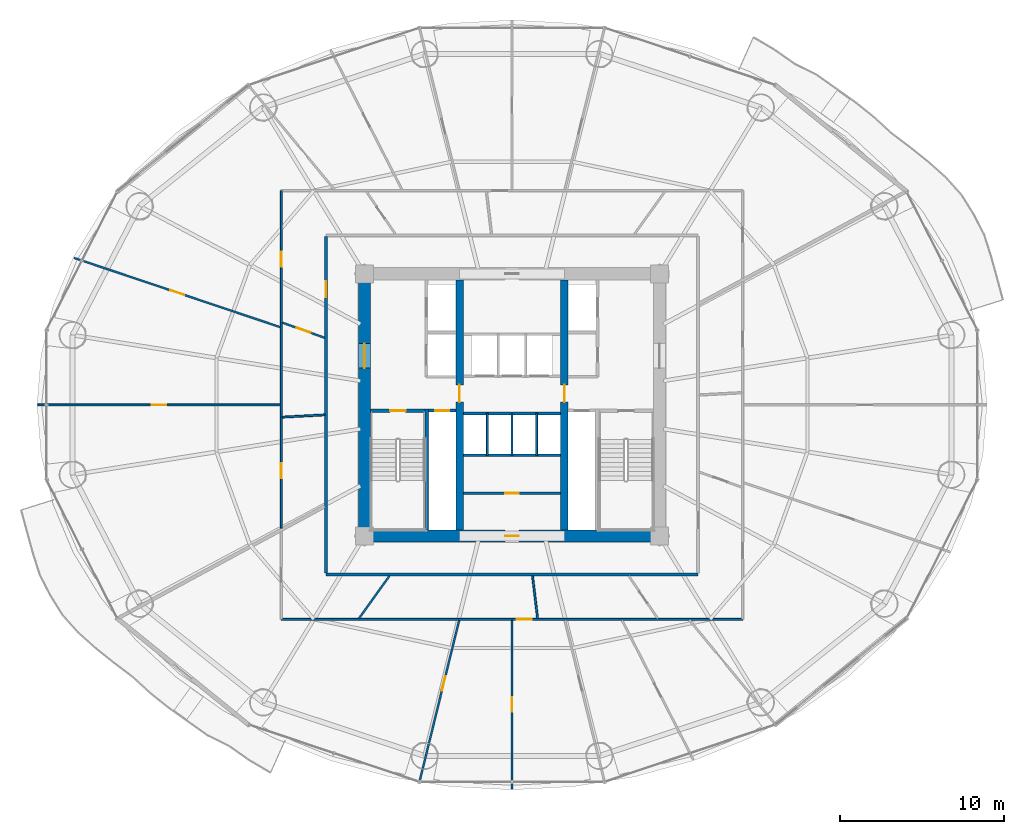
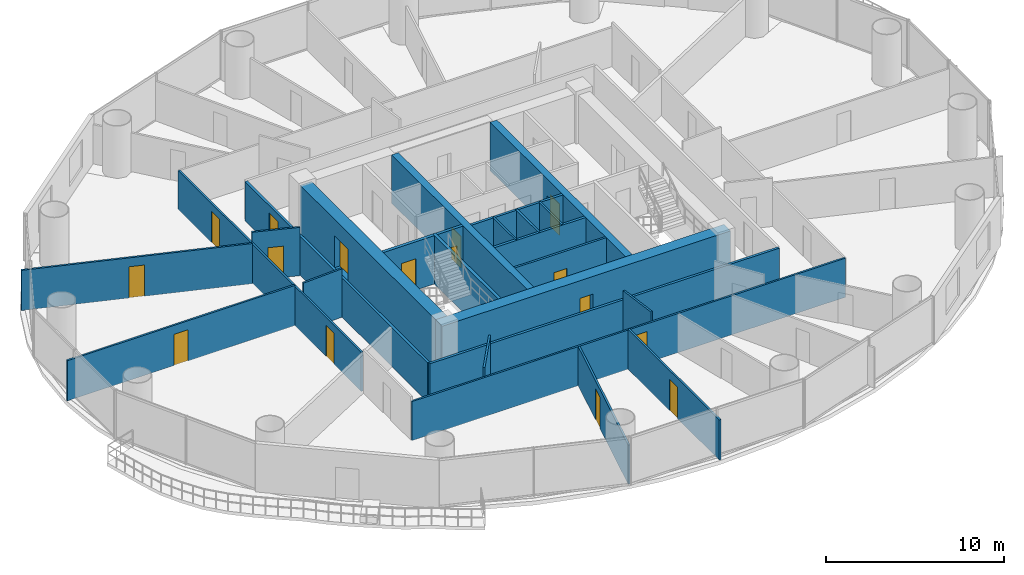
# One storey, part 23 of 30: 25 walls, 16 doors, 16 openings.
"""IFC4 building model written with IfcOpenShell, lengths in metres."""

import ifcopenshell
import ifcopenshell.guid

model = None  # the IFC model being written
_history = None  # IfcOwnerHistory: only IFC2X3 demands one
_inside = {}  # id of a spatial element -> (the spatial element, [elements in it])
_under = {}  # id of a project, library or spatial element -> (it, [spatial elements below it])
_declared = {}  # id of a project -> (the project, [libraries it declares])
_typed = {}  # id of a type object -> (the type object, [elements of that type])
_made_of = {}  # id of a material, layer set ... -> (it, [elements and type objects made of it])


def new_model(schema):
    """Start an empty IFC model of exactly this schema.

    Asked for "IFC4X3", IfcOpenShell would pick the latest addendum, in which some entities
    have other attributes; the version numbers below select the first issue.
    IFC2X3 requires an IfcOwnerHistory on every rooted entity: one is made here for all.
    """
    global model, _history
    if schema == "IFC4X3":
        model = ifcopenshell.file(schema_version=(4, 3, 0, 0))
    else:
        model = ifcopenshell.file(schema=schema)
    _inside.clear()
    _under.clear()
    _declared.clear()
    _typed.clear()
    _made_of.clear()
    _history = None
    if model.schema == "IFC2X3":
        org = make("IfcOrganization", Name="unknown")
        user = make(
            "IfcPersonAndOrganization",
            ThePerson=make("IfcPerson", FamilyName="unknown"),
            TheOrganization=org,
        )
        app = make(
            "IfcApplication",
            ApplicationDeveloper=org,
            Version="unknown",
            ApplicationFullName="unknown",
            ApplicationIdentifier="unknown",
        )
        _history = make(
            "IfcOwnerHistory",
            OwningUser=user,
            OwningApplication=app,
            ChangeAction="ADDED",
            CreationDate=0,
        )
    return model


def make(cls, **values):
    """One entity of the class cls with the attributes given. An attribute that is None is left unset."""
    return model.create_entity(
        cls, **{name: value for name, value in values.items() if value is not None}
    )


def rooted(cls, **values):
    """An entity with a GlobalId (a new one), such as an element, a storey or a relation."""
    return make(cls, GlobalId=ifcopenshell.guid.new(), OwnerHistory=_history, **values)


def si_unit(unit_type, name, prefix=None):
    """IfcSIUnit, for example si_unit("LENGTHUNIT", "METRE", prefix="MILLI")."""
    return make("IfcSIUnit", UnitType=unit_type, Prefix=prefix, Name=name)


def assignment(units):
    """IfcUnitAssignment: the units of a project."""
    return None if units is None else make("IfcUnitAssignment", Units=units)


def point(xyz):
    """IfcCartesianPoint."""
    return None if xyz is None else make("IfcCartesianPoint", Coordinates=xyz)


def direction(xyz):
    """IfcDirection."""
    return None if xyz is None else make("IfcDirection", DirectionRatios=xyz)


def frame(location, z_axis=None, x_axis=None):
    """IfcAxis2Placement3D, a coordinate frame: its origin and axes. An axis left out is left unset."""
    return make(
        "IfcAxis2Placement3D",
        Location=point(location),
        Axis=direction(z_axis),
        RefDirection=direction(x_axis),
    )


def frame_2d(location, x_axis=None):
    """IfcAxis2Placement2D, a coordinate frame in the plane: its origin and x axis."""
    return make(
        "IfcAxis2Placement2D", Location=point(location), RefDirection=direction(x_axis)
    )


def origin():
    """The frame at (0, 0, 0) with its axes left unset."""
    return frame((0.0, 0.0, 0.0))


def place(relative_to, where):
    """IfcLocalPlacement: puts the frame where relative to a parent placement (None: the world)."""
    return make(
        "IfcLocalPlacement", PlacementRelTo=relative_to, RelativePlacement=where
    )


def context(
    kind, dimensions, precision=None, world=None, true_north=None, identifier=None
):
    """IfcGeometricRepresentationContext, for example the 3D "Model" context."""
    return make(
        "IfcGeometricRepresentationContext",
        ContextIdentifier=identifier,
        ContextType=kind,
        CoordinateSpaceDimension=dimensions,
        Precision=precision,
        WorldCoordinateSystem=world,
        TrueNorth=true_north,
    )


def subcontext(parent, identifier, kind, view, scale=None):
    """IfcGeometricRepresentationSubContext, for example "Body" below "Model"."""
    return make(
        "IfcGeometricRepresentationSubContext",
        ContextIdentifier=identifier,
        ContextType=kind,
        ParentContext=parent,
        TargetScale=scale,
        TargetView=view,
    )


def project(units=None, contexts=None):
    """IfcProject with its units and contexts."""
    return rooted(
        "IfcProject",
        Name="project",
        RepresentationContexts=contexts,
        UnitsInContext=assignment(units),
    )


def spatial(cls, under=None, at=None, **own):
    """A site, building, storey or space (cls), placed at a placement, below another one or the project."""
    s = rooted(cls, ObjectPlacement=at, **own)
    if under is not None:
        _under.setdefault(under.id(), (under, []))[1].append(s)
    return s


def profile(cls, at=None, kind="AREA", **sizes):
    """A parametric profile (cls). Its sizes go by their IFC names, for example OverallWidth=200.0."""
    return make(cls, ProfileType=kind, Position=at, **sizes)


def rectangle(**sizes):
    """IfcRectangleProfileDef."""
    return profile("IfcRectangleProfileDef", **sizes)


def extrude(swept, where, along, depth):
    """IfcExtrudedAreaSolid: the profile swept, set in the frame where, extruded along a direction by depth."""
    return make(
        "IfcExtrudedAreaSolid",
        SweptArea=swept,
        Position=where,
        ExtrudedDirection=direction(along),
        Depth=depth,
    )


def shape(context_of_items, identifier, shape_type, items):
    """IfcShapeRepresentation: the items that make up one representation, for example the "Body"."""
    return make(
        "IfcShapeRepresentation",
        ContextOfItems=context_of_items,
        RepresentationIdentifier=identifier,
        RepresentationType=shape_type,
        Items=items,
    )


def source(mapping_origin, context_of_items, identifier, shape_type, items):
    """IfcRepresentationMap: a shape defined once, which mapped items show again and again."""
    return make(
        "IfcRepresentationMap",
        MappingOrigin=mapping_origin,
        MappedRepresentation=shape(context_of_items, identifier, shape_type, items),
    )


def transform(
    local_origin,
    x_axis=None,
    y_axis=None,
    z_axis=None,
    scale=None,
    scale2=None,
    scale3=None,
    uniform=True,
):
    """IfcCartesianTransformationOperator3D, or its non-uniform kind. x_axis, y_axis, z_axis: its Axis1, 2, 3."""
    if uniform:
        return make(
            "IfcCartesianTransformationOperator3D",
            Axis1=direction(x_axis),
            Axis2=direction(y_axis),
            LocalOrigin=point(local_origin),
            Scale=scale,
            Axis3=direction(z_axis),
        )
    return make(
        "IfcCartesianTransformationOperator3DnonUniform",
        Axis1=direction(x_axis),
        Axis2=direction(y_axis),
        LocalOrigin=point(local_origin),
        Scale=scale,
        Axis3=direction(z_axis),
        Scale2=scale2,
        Scale3=scale3,
    )


def mapped(mapping_source, mapping_target):
    """IfcMappedItem: shows the shape of a source again, moved by a transform."""
    return make(
        "IfcMappedItem", MappingSource=mapping_source, MappingTarget=mapping_target
    )


def material(Name=None, Category=None):
    """IfcMaterial."""
    return make("IfcMaterial", Name=Name, Category=Category)


def layer(
    of_material, thickness, ventilated=None, Name=None, Category=None, Priority=None
):
    """IfcMaterialLayer: one layer of a wall or slab, of a material (None: an air gap)."""
    return make(
        "IfcMaterialLayer",
        Material=of_material,
        LayerThickness=thickness,
        IsVentilated=ventilated,
        Name=Name,
        Category=Category,
        Priority=Priority,
    )


def layer_set(layers, Name=None):
    """IfcMaterialLayerSet."""
    return make("IfcMaterialLayerSet", MaterialLayers=layers, LayerSetName=Name)


def made_of(thing, what):
    """Note that an element or type object is made of a material, layer set ...; save() writes the relation."""
    if what is not None:
        _made_of.setdefault(what.id(), (what, []))[1].append(thing)
    return thing


def type_object(cls, material=None, **own):
    """A type object (cls), such as IfcWallType, which elements share."""
    return made_of(rooted(cls, **own), material)


def element(
    cls,
    number,
    at=None,
    inside=None,
    cuts=None,
    type_object=None,
    material=None,
    context=None,
    identifier="Body",
    shape_type=None,
    held_by="IfcProductDefinitionShape",
    body=None,
    shapes=None,
    **own,
):
    """One element of the class cls, such as IfcWall. Its Tag is "e" and its number.

    at: its placement. inside: the storey or other place that contains it. cuts: it is an
    opening in that element (IfcRelVoidsElement). A single representation is given by context,
    identifier, shape_type and body (its items); several are given by shapes. held_by: the class
    of the entity that holds the representations. save() writes the other relations.
    """
    e = rooted(cls, Tag="e%d" % number, ObjectPlacement=at, **own)
    if body is not None:
        shapes = [shape(context, identifier, shape_type, body)]
    if shapes is not None:
        e.Representation = make(held_by, Representations=shapes)
    if inside is not None:
        _inside.setdefault(inside.id(), (inside, []))[1].append(e)
    if cuts is not None:
        rooted(
            "IfcRelVoidsElement", RelatingBuildingElement=cuts, RelatedOpeningElement=e
        )
    if type_object is not None:
        _typed.setdefault(type_object.id(), (type_object, []))[1].append(e)
    return made_of(e, material)


def fill(opening, filler):
    """IfcRelFillsElement: the door or window that sits in an opening."""
    return rooted(
        "IfcRelFillsElement",
        RelatingOpeningElement=opening,
        RelatedBuildingElement=filler,
    )


def aggregate(whole, parts):
    """IfcRelAggregates: a whole, such as a stair, and the parts it consists of."""
    return rooted("IfcRelAggregates", RelatingObject=whole, RelatedObjects=parts)


def save(model, path):
    """Write the relations noted so far, then the file.

    IfcRelAggregates (storeys below a building ...), IfcRelContainedInSpatialStructure (elements
    in a storey), IfcRelDefinesByType, IfcRelAssociatesMaterial and IfcRelDeclares: one each for
    every whole, place, type object, material and project.
    """
    for whole, parts in _under.values():
        aggregate(whole, parts)
    for where, things in _inside.values():
        rooted(
            "IfcRelContainedInSpatialStructure",
            RelatedElements=things,
            RelatingStructure=where,
        )
    for kind, things in _typed.values():
        rooted("IfcRelDefinesByType", RelatedObjects=things, RelatingType=kind)
    for what, things in _made_of.values():
        rooted("IfcRelAssociatesMaterial", RelatedObjects=things, RelatingMaterial=what)
    for by, libraries in _declared.values():
        rooted("IfcRelDeclares", RelatingContext=by, RelatedDefinitions=libraries)
    model.write(path)


model = new_model("IFC4")

# Units and contexts
model_context = context("Model", 3, precision=1e-05, world=origin(), true_north=direction((-0.2419218956, 0.970295726276)))
body_context = subcontext(model_context, "Body", "Model", "MODEL_VIEW")
ifc_project = project(units=[si_unit("LENGTHUNIT", "METRE"), si_unit("AREAUNIT", "SQUARE_METRE"), si_unit("VOLUMEUNIT", "CUBIC_METRE"), si_unit("PLANEANGLEUNIT", "RADIAN"), si_unit("MASSUNIT", "GRAM", prefix="KILO")], contexts=[model_context])

# Site, building, storey
site_placement = place(None, origin())
site = spatial("IfcSite", under=ifc_project, at=site_placement, CompositionType="ELEMENT")
building_placement = place(site_placement, origin())
building = spatial("IfcBuilding", under=site, at=building_placement, Name="Cobrevalo Terracotta Tower", CompositionType="ELEMENT")
storey_placement = place(building_placement, frame((0.0, 0.0, 60.0)))
storey = spatial("IfcBuildingStorey", under=building, at=storey_placement, Name="L15", CompositionType="ELEMENT", Elevation=60.0)

# Wall, opening, door
ifc_material_1 = material(Name="Concrete C60", Category="concrete")
ifc_layer_1 = layer(ifc_material_1, 0.75)
ifc_layer_set_1 = layer_set([ifc_layer_1], Name="Concrete C60")
wall_type_1 = type_object("IfcWallType", Name="Core shear wall 750 mm Concrete C60", PredefinedType="SHEAR", material=ifc_layer_set_1)
wall_1_placement = place(storey_placement, frame((28.625, 18.800048828125, 0.0), z_axis=(0.0, 0.0, 1.0), x_axis=(1.0, 0.0, 0.0)))
wall_1 = element("IfcWall", 1, at=wall_1_placement, inside=storey, type_object=wall_type_1, Name="L15 south core shear wall", PredefinedType="SHEAR", context=body_context, shape_type="SweptSolid", body=[
    extrude(rectangle(XDim=18.75, YDim=0.75, at=frame_2d((9.375, 0.0))), origin(), (0.0, 0.0, 1.0), 3.320068359375),
])
opening_1_placement = place(wall_1_placement, frame((8.949951171875, 0.0, 0.0)))
opening_1 = element("IfcOpeningElement", 2, at=opening_1_placement, cuts=wall_1, Name="Opening ID-22", PredefinedType="OPENING", context=body_context, shape_type="SweptSolid", body=[
    extrude(rectangle(XDim=0.85009765625, YDim=2.10009765625, at=frame_2d((0.425048828125, 1.050048828125))), frame((0.0, 0.385009765625, 0.0), z_axis=(0.0, -1.0, 0.0), x_axis=(1.0, 0.0, 0.0)), (0.0, 0.0, 1.0), 0.77001953125),
])
ifc_material_2 = material(Name="Powder-coated steel", Category="steel")
door_type_1 = type_object("IfcDoorType", Name="Riser shaft & meter closet fire access door 850x2100 EI 60", OperationType="NOTDEFINED", PredefinedType="DOOR", material=ifc_material_2)
shared_shape_1 = source(origin(), body_context, "Body", "SweptSolid", [
    extrude(rectangle(XDim=0.85009765625, YDim=2.10009765625, at=frame_2d((0.425048828125, 1.050048828125))), frame((0.0, 0.02490234375, 0.0), z_axis=(0.0, -1.0, 0.0), x_axis=(1.0, 0.0, 0.0)), (0.0, 0.0, 1.0), 0.050048828125),
])
door_1_placement = place(opening_1_placement, origin())
door_1 = element("IfcDoor", 3, at=door_1_placement, inside=storey, type_object=door_type_1, Name="L15 core south plant door Smoke Extract Fan Plant", OperationType="SINGLE_SWING_RIGHT", OverallHeight=2.10009765625, OverallWidth=0.85009765625, PredefinedType="DOOR", context=body_context, shape_type="MappedRepresentation", body=[
    mapped(shared_shape_1, transform((0.0, 0.0, 0.0), scale=1.0)),
])
fill(opening_1, door_1)

wall_2_placement = place(storey_placement, frame((29.0, 19.175048828125, 0.0), z_axis=(0.0, 0.0, 1.0), x_axis=(0.0, 1.0, 0.0)))
wall_2 = element("IfcWall", 4, at=wall_2_placement, inside=storey, type_object=wall_type_1, Name="L15 west core shear wall", PredefinedType="SHEAR", context=body_context, shape_type="SweptSolid", body=[
    extrude(rectangle(XDim=15.25, YDim=0.75, at=frame_2d((7.625, 0.0))), origin(), (0.0, 0.0, 1.0), 3.320068359375),
])
opening_2_placement = place(wall_2_placement, frame((9.875, 0.0, 0.0)))
opening_2 = element("IfcOpeningElement", 5, at=opening_2_placement, cuts=wall_2, Name="Opening ID-14", PredefinedType="OPENING", context=body_context, shape_type="SweptSolid", body=[
    extrude(rectangle(XDim=1.5, YDim=2.199951171875, at=frame_2d((0.75, 1.10009765625))), frame((0.0, 0.385009765625, 0.0), z_axis=(0.0, -1.0, 0.0), x_axis=(1.0, 0.0, 0.0)), (0.0, 0.0, 1.0), 0.77001953125),
])
ifc_material_3 = material(Name="Galvanized fire-rated steel", Category="steel")
door_type_2 = type_object("IfcDoorType", Name="Core cross-lobby double fire door 1500x2200 EI 90", OperationType="NOTDEFINED", PredefinedType="DOOR", material=ifc_material_3)
shared_shape_2 = source(origin(), body_context, "Body", "SweptSolid", [
    extrude(rectangle(XDim=1.5, YDim=2.199951171875, at=frame_2d((0.75, 1.10009765625))), frame((0.0, 0.02490234375, 0.0), z_axis=(0.0, -1.0, 0.0), x_axis=(1.0, 0.0, 0.0)), (0.0, 0.0, 1.0), 0.050048828125),
])
door_2_placement = place(opening_2_placement, origin())
door_2 = element("IfcDoor", 6, at=door_2_placement, inside=storey, type_object=door_type_2, Name="L15 west firefighting lobby entrance door", OperationType="DOUBLE_DOOR_SINGLE_SWING", OverallHeight=2.199951171875, OverallWidth=1.5, PredefinedType="DOOR", context=body_context, shape_type="MappedRepresentation", body=[
    mapped(shared_shape_2, transform((0.0, 0.0, 0.0), scale=1.0)),
])
fill(opening_2, door_2)

# Walls
ifc_material_4 = material(Name="Gypsum board on steel stud", Category="steel")
ifc_layer_2 = layer(ifc_material_4, 0.159912109375)
ifc_layer_set_2 = layer_set([ifc_layer_2], Name="Gypsum board on steel stud")
wall_type_2 = type_object("IfcWallType", Name="Fire-rated corridor acoustic partition wall 160 mm", PredefinedType="PARTITIONING", material=ifc_layer_set_2)
for number, where, z_axis, x_axis, name in (
    (7, (35.02490234375, 26.280029296875, 0.0), (0.0, 0.0, 1.0), (1.0, 0.0, 0.0), "L15 interior partition IW-L15-MB-N"),
    (8, (35.02490234375, 23.719970703125, 0.0), (0.0, 0.0, 1.0), (1.0, 0.0, 0.0), "L15 interior partition IW-L15-MB-S"),
):
    element("IfcWall", number, at=place(storey_placement, frame(where, z_axis=z_axis, x_axis=x_axis)), inside=storey, type_object=wall_type_2, Name=name, PredefinedType="PARTITIONING", context=body_context, shape_type="SweptSolid", body=[
        extrude(rectangle(XDim=5.9501953125, YDim=0.159912109375, at=frame_2d((2.97509765625, 0.0))), origin(), (0.0, 0.0, 1.0), 3.320068359375),
    ])
wall_3_placement = place(storey_placement, frame((26.64501953125, 16.445068359375, 0.0), z_axis=(0.0, 0.0, 1.0), x_axis=(1.0, 0.0, 0.0)))
element("IfcWall", 9, at=wall_3_placement, inside=storey, type_object=wall_type_2, Name="L15 interior partition IW-L15-COR-S", PredefinedType="PARTITIONING", context=body_context, shape_type="SweptSolid", body=[
    extrude(rectangle(XDim=22.7099609375, YDim=0.159912109375, at=frame_2d((11.35498046875, 0.0))), origin(), (0.0, 0.0, 1.0), 2.68798828125),
])

# Wall, opening, door
wall_4_placement = place(storey_placement, frame((26.64501953125, 16.52490234375, 0.0), z_axis=(0.0, 0.0, 1.0), x_axis=(0.0, 1.0, 0.0)))
wall_4 = element("IfcWall", 10, at=wall_4_placement, inside=storey, type_object=wall_type_2, Name="L15 interior partition IW-L15-COR-W", PredefinedType="PARTITIONING", context=body_context, shape_type="SweptSolid", body=[
    extrude(rectangle(XDim=20.550048828125, YDim=0.159912109375, at=frame_2d((10.27490234375, 0.0))), origin(), (0.0, 0.0, 1.0), 2.68798828125),
])
opening_3_placement = place(wall_4_placement, frame((16.8369140625, 0.0, 0.0)))
opening_3 = element("IfcOpeningElement", 11, at=opening_3_placement, cuts=wall_4, Name="Opening ID-05", PredefinedType="OPENING", context=body_context, shape_type="SweptSolid", body=[
    extrude(rectangle(XDim=0.97998046875, YDim=2.199951171875, at=frame_2d((0.489990234375, 1.10009765625))), frame((0.0, 0.08984375, 0.0), z_axis=(0.0, -1.0, 0.0), x_axis=(1.0, 0.0, 0.0)), (0.0, 0.0, 1.0), 0.179931640625),
])
ifc_material_5 = material(Name="Solid hardwood timber", Category="wood")
door_type_3 = type_object("IfcDoorType", Name="Residence entrance fire-rated acoustic timber door 980x2200 EI 60", OperationType="NOTDEFINED", PredefinedType="DOOR", material=ifc_material_5)
shared_shape_3 = source(origin(), body_context, "Body", "SweptSolid", [
    extrude(rectangle(XDim=0.97998046875, YDim=2.199951171875, at=frame_2d((0.489990234375, 1.10009765625))), frame((0.0, 0.02490234375, 0.0), z_axis=(0.0, -1.0, 0.0), x_axis=(1.0, 0.0, 0.0)), (0.0, 0.0, 1.0), 0.050048828125),
])
door_3_placement = place(opening_3_placement, origin())
door_3 = element("IfcDoor", 12, at=door_3_placement, inside=storey, type_object=door_type_3, Name="Flat L15A fire-rated apartment entrance door", OperationType="SINGLE_SWING_LEFT", OverallHeight=2.199951171875, OverallWidth=0.97998046875, PredefinedType="DOOR", context=body_context, shape_type="MappedRepresentation", body=[
    mapped(shared_shape_3, transform((0.0, 0.0, 0.0), scale=1.0)),
])
fill(opening_3, door_3)

ifc_layer_3 = layer(ifc_material_4, 0.179931640625)
ifc_layer_set_3 = layer_set([ifc_layer_3], Name="Gypsum board on steel stud")
wall_type_3 = type_object("IfcWallType", Name="Fire-rated shaft & lobby acoustic partition wall 180 mm", PredefinedType="PARTITIONING", material=ifc_layer_set_3)
wall_5_placement = place(storey_placement, frame((32.89990234375, 26.449951171875, 0.0), z_axis=(0.0, 0.0, 1.0), x_axis=(1.0, 0.0, 0.0)))
wall_5 = element("IfcWall", 13, at=wall_5_placement, inside=storey, type_object=wall_type_3, Name="L15 interior partition IW-L15-RSW-N", PredefinedType="PARTITIONING", context=body_context, shape_type="SweptSolid", body=[
    extrude(rectangle(XDim=1.675048828125, YDim=0.179931640625, at=frame_2d((0.83740234375, 0.0))), origin(), (0.0, 0.0, 1.0), 3.320068359375),
])
opening_4_placement = place(wall_5_placement, frame((0.41259765625, 0.0, 0.0)))
opening_4 = element("IfcOpeningElement", 14, at=opening_4_placement, cuts=wall_5, Name="Opening ID-22", PredefinedType="OPENING", context=body_context, shape_type="SweptSolid", body=[
    extrude(rectangle(XDim=0.85009765625, YDim=2.10009765625, at=frame_2d((0.425048828125, 1.050048828125))), frame((0.0, 0.10009765625, 0.0), z_axis=(0.0, -1.0, 0.0), x_axis=(1.0, 0.0, 0.0)), (0.0, 0.0, 1.0), 0.199951171875),
])
door_4_placement = place(opening_4_placement, origin())
door_4 = element("IfcDoor", 15, at=door_4_placement, inside=storey, type_object=door_type_1, Name="L15 riser access door RSW", OperationType="SINGLE_SWING_LEFT", OverallHeight=2.10009765625, OverallWidth=0.85009765625, PredefinedType="DOOR", context=body_context, shape_type="MappedRepresentation", body=[
    mapped(shared_shape_1, transform((0.0, 0.0, 0.0), scale=1.0)),
])
fill(opening_4, door_4)

# Walls
ifc_material_6 = material(Name="Autoclaved aerated concrete block", Category="concrete")
ifc_layer_4 = layer(ifc_material_6, 0.1201171875)
ifc_layer_set_4 = layer_set([ifc_layer_4], Name="Autoclaved aerated concrete block")
wall_type_4 = type_object("IfcWallType", Name="Fire-rated wet-room & core service partition 120 mm", PredefinedType="PARTITIONING", material=ifc_layer_set_4)
for number, where, z_axis, x_axis, name in (
    (16, (36.5, 23.719970703125, 0.0), (0.0, 0.0, 1.0), (0.0, 1.0, 0.0), "L15 interior partition IW-L15-MB-D1"),
    (17, (39.5, 23.719970703125, 0.0), (0.0, 0.0, 1.0), (0.0, 1.0, 0.0), "L15 interior partition IW-L15-MB-D3"),
):
    element("IfcWall", number, at=place(storey_placement, frame(where, z_axis=z_axis, x_axis=x_axis)), inside=storey, type_object=wall_type_4, Name=name, PredefinedType="PARTITIONING", context=body_context, shape_type="SweptSolid", body=[
        extrude(rectangle(XDim=2.56005859375, YDim=0.1201171875, at=frame_2d((1.280029296875, 0.0))), origin(), (0.0, 0.0, 1.0), 3.320068359375),
    ])

# Wall, opening, door
ifc_material_7 = material(Name="Concrete C55", Category="concrete")
ifc_layer_5 = layer(ifc_material_7, 0.449951171875)
ifc_layer_set_5 = layer_set([ifc_layer_5], Name="Concrete C55")
wall_type_5 = type_object("IfcWallType", Name="Internal core shear web wall 450 mm Concrete C55", PredefinedType="SHEAR", material=ifc_layer_set_5)
wall_6_placement = place(storey_placement, frame((34.800048828125, 19.175048828125, 0.0), z_axis=(0.0, 0.0, 1.0), x_axis=(0.0, 1.0, 0.0)))
wall_6 = element("IfcWall", 18, at=wall_6_placement, inside=storey, type_object=wall_type_5, Name="L15 internal core shear wall WEB-W", PredefinedType="SHEAR", context=body_context, shape_type="SweptSolid", body=[
    extrude(rectangle(XDim=15.25, YDim=0.449951171875, at=frame_2d((7.625, 0.0))), origin(), (0.0, 0.0, 1.0), 3.320068359375),
])
opening_5_placement = place(wall_6_placement, frame((7.800048828125, 0.0, 0.0)))
opening_5 = element("IfcOpeningElement", 19, at=opening_5_placement, cuts=wall_6, Name="Opening ID-11", PredefinedType="OPENING", context=body_context, shape_type="SweptSolid", body=[
    extrude(rectangle(XDim=1.050048828125, YDim=2.14990234375, at=frame_2d((0.52490234375, 1.074951171875))), frame((0.0, 0.23486328125, 0.0), z_axis=(0.0, -1.0, 0.0), x_axis=(1.0, 0.0, 0.0)), (0.0, 0.0, 1.0), 0.469970703125),
])
door_type_4 = type_object("IfcDoorType", Name="Core concourse cross fire door 1050x2150 EI 90", OperationType="NOTDEFINED", PredefinedType="DOOR", material=ifc_material_3)
shared_shape_4 = source(origin(), body_context, "Body", "SweptSolid", [
    extrude(rectangle(XDim=1.050048828125, YDim=2.14990234375, at=frame_2d((0.52490234375, 1.074951171875))), frame((0.0, 0.02490234375, 0.0), z_axis=(0.0, -1.0, 0.0), x_axis=(1.0, 0.0, 0.0)), (0.0, 0.0, 1.0), 0.050048828125),
])
door_5_placement = place(opening_5_placement, origin())
door_5 = element("IfcDoor", 20, at=door_5_placement, inside=storey, type_object=door_type_4, Name="L15 west core concourse cross door", OperationType="SINGLE_SWING_LEFT", OverallHeight=2.14990234375, OverallWidth=1.050048828125, PredefinedType="DOOR", context=body_context, shape_type="MappedRepresentation", body=[
    mapped(shared_shape_4, transform((0.0, 0.0, 0.0), scale=1.0)),
])
fill(opening_5, door_5)

wall_7_placement = place(storey_placement, frame((41.199951171875, 19.175048828125, 0.0), z_axis=(0.0, 0.0, 1.0), x_axis=(0.0, 1.0, 0.0)))
wall_7 = element("IfcWall", 21, at=wall_7_placement, inside=storey, type_object=wall_type_5, Name="L15 internal core shear wall WEB-E", PredefinedType="SHEAR", context=body_context, shape_type="SweptSolid", body=[
    extrude(rectangle(XDim=15.25, YDim=0.449951171875, at=frame_2d((7.625, 0.0))), origin(), (0.0, 0.0, 1.0), 3.320068359375),
])
opening_6_placement = place(wall_7_placement, frame((7.800048828125, 0.0, 0.0)))
opening_6 = element("IfcOpeningElement", 22, at=opening_6_placement, cuts=wall_7, Name="Opening ID-11", PredefinedType="OPENING", context=body_context, shape_type="SweptSolid", body=[
    extrude(rectangle(XDim=1.050048828125, YDim=2.14990234375, at=frame_2d((0.52490234375, 1.074951171875))), frame((0.0, 0.23486328125, 0.0), z_axis=(0.0, -1.0, 0.0), x_axis=(1.0, 0.0, 0.0)), (0.0, 0.0, 1.0), 0.469970703125),
])
door_6_placement = place(opening_6_placement, frame((1.050048828125, 0.0, 0.0), z_axis=(0.0, 0.0, 1.0), x_axis=(-1.0, 0.0, 0.0)))
door_6 = element("IfcDoor", 23, at=door_6_placement, inside=storey, type_object=door_type_4, Name="L15 east core concourse cross door", OperationType="SINGLE_SWING_RIGHT", OverallHeight=2.14990234375, OverallWidth=1.050048828125, PredefinedType="DOOR", context=body_context, shape_type="MappedRepresentation", body=[
    mapped(shared_shape_4, transform((0.0, 0.0, 0.0), scale=1.0)),
])
fill(opening_6, door_6)

# Wall
ifc_layer_6 = layer(ifc_material_6, 0.139892578125)
ifc_layer_set_6 = layer_set([ifc_layer_6], Name="Autoclaved aerated concrete block")
wall_type_6 = type_object("IfcWallType", Name="Moisture-resistant wet-room & core service partition 140 mm", PredefinedType="PARTITIONING", material=ifc_layer_set_6)
wall_8_placement = place(storey_placement, frame((38.0, 23.719970703125, 0.0), z_axis=(0.0, 0.0, 1.0), x_axis=(0.0, 1.0, 0.0)))
element("IfcWall", 24, at=wall_8_placement, inside=storey, type_object=wall_type_6, Name="L15 interior partition IW-L15-MB-D2", PredefinedType="PARTITIONING", context=body_context, shape_type="SweptSolid", body=[
    extrude(rectangle(XDim=2.56005859375, YDim=0.139892578125, at=frame_2d((1.280029296875, 0.0))), origin(), (0.0, 0.0, 1.0), 3.320068359375),
])

# Wall, opening, door
wall_9_placement = place(storey_placement, frame((35.02490234375, 21.407470703125, 0.0), z_axis=(0.0, 0.0, 1.0), x_axis=(1.0, 0.0, 0.0)))
wall_9 = element("IfcWall", 25, at=wall_9_placement, inside=storey, type_object=wall_type_6, Name="L15 interior partition IW-L15-KVS-H", PredefinedType="PARTITIONING", context=body_context, shape_type="SweptSolid", body=[
    extrude(rectangle(XDim=5.9501953125, YDim=0.139892578125, at=frame_2d((2.97509765625, 0.0))), origin(), (0.0, 0.0, 1.0), 3.320068359375),
])
opening_7_placement = place(wall_9_placement, frame((2.550048828125, 0.0, 0.0)))
opening_7 = element("IfcOpeningElement", 26, at=opening_7_placement, cuts=wall_9, Name="Opening ID-22", PredefinedType="OPENING", context=body_context, shape_type="SweptSolid", body=[
    extrude(rectangle(XDim=0.85009765625, YDim=2.10009765625, at=frame_2d((0.425048828125, 1.050048828125))), frame((0.0, 0.080078125, 0.0), z_axis=(0.0, -1.0, 0.0), x_axis=(1.0, 0.0, 0.0)), (0.0, 0.0, 1.0), 0.159912109375),
])
door_7_placement = place(opening_7_placement, origin())
door_7 = element("IfcDoor", 27, at=door_7_placement, inside=storey, type_object=door_type_1, Name="L15 core manifold inner door", OperationType="SINGLE_SWING_LEFT", OverallHeight=2.10009765625, OverallWidth=0.85009765625, PredefinedType="DOOR", context=body_context, shape_type="MappedRepresentation", body=[
    mapped(shared_shape_1, transform((0.0, 0.0, 0.0), scale=1.0)),
])
fill(opening_7, door_7)

# Wall, openings, doors
ifc_layer_7 = layer(ifc_material_4, 0.1201171875)
ifc_layer_set_7 = layer_set([ifc_layer_7], Name="Gypsum board on steel stud")
wall_type_7 = type_object("IfcWallType", Name="Residential internal acoustic stud partition 120 mm", PredefinedType="PARTITIONING", material=ifc_layer_set_7)
wall_10_placement = place(storey_placement, frame((23.9150390625, 19.275634765625, 0.0), z_axis=(0.0, 0.0, 1.0), x_axis=(0.0, 1.0, 0.0)))
wall_10 = element("IfcWall", 28, at=wall_10_placement, inside=storey, type_object=wall_type_7, Name="L15 interior partition IW-L15-U1-RING0_0", PredefinedType="PARTITIONING", context=body_context, shape_type="SweptSolid", body=[
    extrude(rectangle(XDim=20.609375, YDim=0.1201171875, at=frame_2d((10.3046875, 0.0))), origin(), (0.0, 0.0, 1.0), 2.68798828125),
])
opening_8_placement = place(wall_10_placement, frame((15.972412109375, 0.0, 0.0)))
opening_8 = element("IfcOpeningElement", 29, at=opening_8_placement, cuts=wall_10, Name="Opening ID-12", PredefinedType="OPENING", context=body_context, shape_type="SweptSolid", body=[
    extrude(rectangle(XDim=0.89990234375, YDim=2.14990234375, at=frame_2d((0.449951171875, 1.074951171875))), frame((0.0, 0.070068359375, 0.0), z_axis=(0.0, -1.0, 0.0), x_axis=(1.0, 0.0, 0.0)), (0.0, 0.0, 1.0), 0.14013671875),
])
opening_9_placement = place(wall_10_placement, frame((3.058349609375, 0.0, 0.0)))
opening_9 = element("IfcOpeningElement", 30, at=opening_9_placement, cuts=wall_10, Name="Opening ID-12", PredefinedType="OPENING", context=body_context, shape_type="SweptSolid", body=[
    extrude(rectangle(XDim=0.89990234375, YDim=2.14990234375, at=frame_2d((0.449951171875, 1.074951171875))), frame((0.0, 0.070068359375, 0.0), z_axis=(0.0, -1.0, 0.0), x_axis=(1.0, 0.0, 0.0)), (0.0, 0.0, 1.0), 0.14013671875),
])
ifc_material_8 = material(Name="Engineered timber", Category="wood")
door_type_5 = type_object("IfcDoorType", Name="Internal residence & suite timber door 900x2150", OperationType="NOTDEFINED", PredefinedType="DOOR", material=ifc_material_8)
shared_shape_5 = source(origin(), body_context, "Body", "SweptSolid", [
    extrude(rectangle(XDim=0.89990234375, YDim=2.14990234375, at=frame_2d((0.449951171875, 1.074951171875))), frame((0.0, 0.02490234375, 0.0), z_axis=(0.0, -1.0, 0.0), x_axis=(1.0, 0.0, 0.0)), (0.0, 0.0, 1.0), 0.050048828125),
])
door_8_placement = place(opening_8_placement, origin())
door_8 = element("IfcDoor", 31, at=door_8_placement, inside=storey, type_object=door_type_5, Name="Flat L15A Penthouse Family Lounge internal door", OperationType="SINGLE_SWING_RIGHT", OverallHeight=2.14990234375, OverallWidth=0.89990234375, PredefinedType="DOOR", context=body_context, shape_type="MappedRepresentation", body=[
    mapped(shared_shape_5, transform((0.0, 0.0, 0.0), scale=1.0)),
])
fill(opening_8, door_8)
door_9_placement = place(opening_9_placement, frame((0.89990234375, 0.0, 0.0), z_axis=(0.0, 0.0, 1.0), x_axis=(-1.0, 0.0, 0.0)))
door_9 = element("IfcDoor", 32, at=door_9_placement, inside=storey, type_object=door_type_5, Name="Flat L15A Utility Closet internal door", OperationType="SINGLE_SWING_LEFT", OverallHeight=2.14990234375, OverallWidth=0.89990234375, PredefinedType="DOOR", context=body_context, shape_type="MappedRepresentation", body=[
    mapped(shared_shape_5, transform((0.0, 0.0, 0.0), scale=1.0)),
])
fill(opening_9, door_9)

# Wall, opening, door
wall_11_placement = place(storey_placement, frame((23.856201171875, 31.54736328125, 0.0), z_axis=(0.0, 0.0, 1.0), x_axis=(-0.948017487737, 0.318218231634, 0.0)))
wall_11 = element("IfcWall", 33, at=wall_11_placement, inside=storey, type_object=wall_type_7, Name="L15 interior partition IW-L15-U1-ORAD4", PredefinedType="PARTITIONING", context=body_context, shape_type="SweptSolid", body=[
    extrude(rectangle(XDim=13.27880859375, YDim=0.1201171875, at=frame_2d((6.639404296875, 0.0))), origin(), (0.0, 0.0, 1.0), 2.761962890625),
])
opening_10_placement = place(wall_11_placement, frame((6.189453125, 0.0, 0.0)))
opening_10 = element("IfcOpeningElement", 34, at=opening_10_placement, cuts=wall_11, Name="Opening ID-12", PredefinedType="OPENING", context=body_context, shape_type="SweptSolid", body=[
    extrude(rectangle(XDim=0.89990234375, YDim=2.14990234375, at=frame_2d((0.449951171875, 1.074951171875))), frame((0.0, 0.070068359375, 0.0), z_axis=(0.0, -1.0, 0.0), x_axis=(1.0, 0.0, 0.0)), (0.0, 0.0, 1.0), 0.14013671875),
])
door_10_placement = place(opening_10_placement, origin())
door_10 = element("IfcDoor", 35, at=door_10_placement, inside=storey, type_object=door_type_5, Name="Flat L15A Penthouse Family Lounge internal door", OperationType="SINGLE_SWING_LEFT", OverallHeight=2.14990234375, OverallWidth=0.89990234375, PredefinedType="DOOR", context=body_context, shape_type="MappedRepresentation", body=[
    mapped(shared_shape_5, transform((0.0, 0.0, 0.0), scale=1.0)),
])
fill(opening_10, door_10)

wall_12_placement = place(storey_placement, frame((23.85302734375, 26.800048828125, 0.0), z_axis=(0.0, 0.0, 1.0), x_axis=(-1.0, 0.0, 0.0)))
wall_12 = element("IfcWall", 36, at=wall_12_placement, inside=storey, type_object=wall_type_7, Name="L15 interior partition IW-L15-U1-ORAD5", PredefinedType="PARTITIONING", context=body_context, shape_type="SweptSolid", body=[
    extrude(rectangle(XDim=14.79296875, YDim=0.1201171875, at=frame_2d((7.396484375, 0.0))), origin(), (0.0, 0.0, 1.0), 2.761962890625),
])
opening_11_placement = place(wall_12_placement, frame((6.946533203125, 0.0, 0.0)))
opening_11 = element("IfcOpeningElement", 37, at=opening_11_placement, cuts=wall_12, Name="Opening ID-12", PredefinedType="OPENING", context=body_context, shape_type="SweptSolid", body=[
    extrude(rectangle(XDim=0.89990234375, YDim=2.14990234375, at=frame_2d((0.449951171875, 1.074951171875))), frame((0.0, 0.070068359375, 0.0), z_axis=(0.0, -1.0, 0.0), x_axis=(1.0, 0.0, 0.0)), (0.0, 0.0, 1.0), 0.14013671875),
])
door_11_placement = place(opening_11_placement, origin())
door_11 = element("IfcDoor", 38, at=door_11_placement, inside=storey, type_object=door_type_5, Name="Flat L15A Private Cinema Room internal door", OperationType="SINGLE_SWING_RIGHT", OverallHeight=2.14990234375, OverallWidth=0.89990234375, PredefinedType="DOOR", context=body_context, shape_type="MappedRepresentation", body=[
    mapped(shared_shape_5, transform((0.0, 0.0, 0.0), scale=1.0)),
])
fill(opening_11, door_11)

wall_13_placement = place(storey_placement, frame((26.56494140625, 30.896484375, 0.0), z_axis=(0.0, 0.0, 1.0), x_axis=(-0.941406362049, 0.337274460186, 0.0)))
wall_13 = element("IfcWall", 39, at=wall_13_placement, inside=storey, type_object=wall_type_7, Name="L15 interior partition IW-L15-U1-IRAD4", PredefinedType="PARTITIONING", context=body_context, shape_type="SweptSolid", body=[
    extrude(rectangle(XDim=2.7529296875, YDim=0.1201171875, at=frame_2d((1.37646484375, 0.0))), origin(), (0.0, 0.0, 1.0), 3.320068359375),
])
opening_12_placement = place(wall_13_placement, frame((0.926513671875, 0.0, 0.0)))
opening_12 = element("IfcOpeningElement", 40, at=opening_12_placement, cuts=wall_13, Name="Opening ID-12", PredefinedType="OPENING", context=body_context, shape_type="SweptSolid", body=[
    extrude(rectangle(XDim=0.89990234375, YDim=2.14990234375, at=frame_2d((0.449951171875, 1.074951171875))), frame((0.0, 0.070068359375, 0.0), z_axis=(0.0, -1.0, 0.0), x_axis=(1.0, 0.0, 0.0)), (0.0, 0.0, 1.0), 0.14013671875),
])
door_12_placement = place(opening_12_placement, origin())
door_12 = element("IfcDoor", 41, at=door_12_placement, inside=storey, type_object=door_type_5, Name="Flat L15A Kitchen internal door", OperationType="SINGLE_SWING_LEFT", OverallHeight=2.14990234375, OverallWidth=0.89990234375, PredefinedType="DOOR", context=body_context, shape_type="MappedRepresentation", body=[
    mapped(shared_shape_5, transform((0.0, 0.0, 0.0), scale=1.0)),
])
fill(opening_12, door_12)

# Wall
wall_14_placement = place(storey_placement, frame((26.56494140625, 26.192626953125, 0.0), z_axis=(0.0, 0.0, 1.0), x_axis=(-0.99859273586, -0.053033460078, 0.0)))
element("IfcWall", 42, at=wall_14_placement, inside=storey, type_object=wall_type_7, Name="L15 interior partition IW-L15-U1-IRAD5", PredefinedType="PARTITIONING", context=body_context, shape_type="SweptSolid", body=[
    extrude(rectangle(XDim=2.591796875, YDim=0.1201171875, at=frame_2d((1.2958984375, 0.0))), origin(), (0.0, 0.0, 1.0), 3.320068359375),
])

# Wall, opening, door
wall_15_placement = place(storey_placement, frame((52.0849609375, 13.715087890625, 0.0), z_axis=(0.0, 0.0, 1.0), x_axis=(-1.0, 0.0, 0.0)))
wall_15 = element("IfcWall", 43, at=wall_15_placement, inside=storey, type_object=wall_type_7, Name="L15 interior partition IW-L15-U2-RING1_0", PredefinedType="PARTITIONING", context=body_context, shape_type="SweptSolid", body=[
    extrude(rectangle(XDim=28.169921875, YDim=0.1201171875, at=frame_2d((14.0849609375, 0.0))), origin(), (0.0, 0.0, 1.0), 2.68798828125),
])
opening_13_placement = place(wall_15_placement, frame((12.890625, 0.0, 0.0)))
opening_13 = element("IfcOpeningElement", 44, at=opening_13_placement, cuts=wall_15, Name="Opening ID-12", PredefinedType="OPENING", context=body_context, shape_type="SweptSolid", body=[
    extrude(rectangle(XDim=0.89990234375, YDim=2.14990234375, at=frame_2d((0.449951171875, 1.074951171875))), frame((0.0, 0.070068359375, 0.0), z_axis=(0.0, -1.0, 0.0), x_axis=(1.0, 0.0, 0.0)), (0.0, 0.0, 1.0), 0.14013671875),
])
door_13_placement = place(opening_13_placement, frame((0.89990234375, 0.0, 0.0), z_axis=(0.0, 0.0, 1.0), x_axis=(-1.0, 0.0, 0.0)))
door_13 = element("IfcDoor", 45, at=door_13_placement, inside=storey, type_object=door_type_5, Name="Flat L15B Home Office Study internal door", OperationType="SINGLE_SWING_LEFT", OverallHeight=2.14990234375, OverallWidth=0.89990234375, PredefinedType="DOOR", context=body_context, shape_type="MappedRepresentation", body=[
    mapped(shared_shape_5, transform((0.0, 0.0, 0.0), scale=1.0)),
])
fill(opening_13, door_13)

wall_16_placement = place(storey_placement, frame((34.773193359375, 13.65478515625, 0.0), z_axis=(0.0, 0.0, 1.0), x_axis=(-0.238375747469, -0.97117300365, 0.0)))
wall_16 = element("IfcWall", 46, at=wall_16_placement, inside=storey, type_object=wall_type_7, Name="L15 interior partition IW-L15-U2-ORAD1", PredefinedType="PARTITIONING", context=body_context, shape_type="SweptSolid", body=[
    extrude(rectangle(XDim=10.086181640625, YDim=0.1201171875, at=frame_2d((5.04296875, 0.0))), origin(), (0.0, 0.0, 1.0), 2.68798828125),
])
opening_14_placement = place(wall_16_placement, frame((3.51806640625, 0.0, 0.0)))
opening_14 = element("IfcOpeningElement", 47, at=opening_14_placement, cuts=wall_16, Name="Opening ID-12", PredefinedType="OPENING", context=body_context, shape_type="SweptSolid", body=[
    extrude(rectangle(XDim=0.89990234375, YDim=2.14990234375, at=frame_2d((0.449951171875, 1.074951171875))), frame((0.0, 0.070068359375, 0.0), z_axis=(0.0, -1.0, 0.0), x_axis=(1.0, 0.0, 0.0)), (0.0, 0.0, 1.0), 0.14013671875),
])
door_14_placement = place(opening_14_placement, frame((0.89990234375, 0.0, 0.0), z_axis=(0.0, 0.0, 1.0), x_axis=(-1.0, 0.0, 0.0)))
door_14 = element("IfcDoor", 48, at=door_14_placement, inside=storey, type_object=door_type_5, Name="Flat L15B Penthouse Living and Dining Room internal door", OperationType="SINGLE_SWING_LEFT", OverallHeight=2.14990234375, OverallWidth=0.89990234375, PredefinedType="DOOR", context=body_context, shape_type="MappedRepresentation", body=[
    mapped(shared_shape_5, transform((0.0, 0.0, 0.0), scale=1.0)),
])
fill(opening_14, door_14)

wall_17_placement = place(storey_placement, frame((38.0, 13.653076171875, 0.0), z_axis=(0.0, 0.0, 1.0), x_axis=(0.0, -1.0, 0.0)))
wall_17 = element("IfcWall", 49, at=wall_17_placement, inside=storey, type_object=wall_type_7, Name="L15 interior partition IW-L15-U2-ORAD2M1", PredefinedType="PARTITIONING", context=body_context, shape_type="SweptSolid", body=[
    extrude(rectangle(XDim=10.29296875, YDim=0.1201171875, at=frame_2d((5.146484375, 0.0))), origin(), (0.0, 0.0, 1.0), 2.761962890625),
])
opening_15_placement = place(wall_17_placement, frame((4.696533203125, 0.0, 0.0)))
opening_15 = element("IfcOpeningElement", 50, at=opening_15_placement, cuts=wall_17, Name="Opening ID-12", PredefinedType="OPENING", context=body_context, shape_type="SweptSolid", body=[
    extrude(rectangle(XDim=0.89990234375, YDim=2.14990234375, at=frame_2d((0.449951171875, 1.074951171875))), frame((0.0, 0.070068359375, 0.0), z_axis=(0.0, -1.0, 0.0), x_axis=(1.0, 0.0, 0.0)), (0.0, 0.0, 1.0), 0.14013671875),
])
door_15_placement = place(opening_15_placement, frame((0.89990234375, 0.0, 0.0), z_axis=(0.0, 0.0, 1.0), x_axis=(-1.0, 0.0, 0.0)))
door_15 = element("IfcDoor", 51, at=door_15_placement, inside=storey, type_object=door_type_5, Name="Flat L15B Master Bedroom internal door", OperationType="SINGLE_SWING_RIGHT", OverallHeight=2.14990234375, OverallWidth=0.89990234375, PredefinedType="DOOR", context=body_context, shape_type="MappedRepresentation", body=[
    mapped(shared_shape_5, transform((0.0, 0.0, 0.0), scale=1.0)),
])
fill(opening_15, door_15)

# Walls
wall_18_placement = place(storey_placement, frame((30.520263671875, 16.364990234375, 0.0), z_axis=(0.0, 0.0, 1.0), x_axis=(-0.582566008831, -0.812783393872, 0.0)))
element("IfcWall", 52, at=wall_18_placement, inside=storey, type_object=wall_type_7, Name="L15 interior partition IW-L15-U2-IRAD1", PredefinedType="PARTITIONING", context=body_context, shape_type="SweptSolid", body=[
    extrude(rectangle(XDim=3.198486328125, YDim=0.1201171875, at=frame_2d((1.59912109375, 0.0))), origin(), (0.0, 0.0, 1.0), 3.320068359375),
])
wall_19_placement = place(storey_placement, frame((39.251220703125, 16.364990234375, 0.0), z_axis=(0.0, 0.0, 1.0), x_axis=(0.1191230636, -0.992879497078, 0.0)))
element("IfcWall", 53, at=wall_19_placement, inside=storey, type_object=wall_type_7, Name="L15 interior partition IW-L15-U2-IRAD2", PredefinedType="PARTITIONING", context=body_context, shape_type="SweptSolid", body=[
    extrude(rectangle(XDim=2.60693359375, YDim=0.1201171875, at=frame_2d((1.303466796875, 0.0))), origin(), (0.0, 0.0, 1.0), 3.320068359375),
])
ifc_material_9 = material(Name="Concrete C50", Category="concrete")
ifc_layer_8 = layer(ifc_material_9, 0.199951171875)
ifc_layer_set_8 = layer_set([ifc_layer_8], Name="Concrete C50")
wall_type_8 = type_object("IfcWallType", Name="Structural core & podium stair-shaft RC wall 200 mm Concrete C50", PredefinedType="SOLIDWALL", material=ifc_layer_set_8)
wall_20_placement = place(storey_placement, frame((32.794921875, 19.175048828125, 0.0), z_axis=(0.0, 0.0, 1.0), x_axis=(0.0, 1.0, 0.0)))
element("IfcWall", 54, at=wall_20_placement, inside=storey, type_object=wall_type_8, Name="L15 ST-1 east structural shaft wall", PredefinedType="SOLIDWALL", context=body_context, shape_type="SweptSolid", body=[
    extrude(rectangle(XDim=7.375, YDim=0.199951171875, at=frame_2d((3.6875, 0.0))), origin(), (0.0, 0.0, 1.0), 3.320068359375),
])

# Wall, opening, door
wall_21_placement = place(storey_placement, frame((29.375, 26.449951171875, 0.0), z_axis=(0.0, 0.0, 1.0), x_axis=(1.0, 0.0, 0.0)))
wall_21 = element("IfcWall", 55, at=wall_21_placement, inside=storey, type_object=wall_type_8, Name="L15 ST-1 north structural shaft wall", PredefinedType="SOLIDWALL", context=body_context, shape_type="SweptSolid", body=[
    extrude(rectangle(XDim=3.320068359375, YDim=0.199951171875, at=frame_2d((1.66015625, 0.0))), origin(), (0.0, 0.0, 1.0), 3.320068359375),
])
opening_16_placement = place(wall_21_placement, frame((1.18505859375, 0.0, 0.0)))
opening_16 = element("IfcOpeningElement", 56, at=opening_16_placement, cuts=wall_21, Name="Opening ID-04", PredefinedType="OPENING", context=body_context, shape_type="SweptSolid", body=[
    extrude(rectangle(XDim=0.949951171875, YDim=2.14990234375, at=frame_2d((0.47509765625, 1.074951171875))), frame((0.0, 0.10986328125, 0.0), z_axis=(0.0, -1.0, 0.0), x_axis=(1.0, 0.0, 0.0)), (0.0, 0.0, 1.0), 0.219970703125),
])
door_type_6 = type_object("IfcDoorType", Name="Stair & firefighting lobby fire door 950x2150 EI 90", OperationType="NOTDEFINED", PredefinedType="DOOR", material=ifc_material_3)
shared_shape_6 = source(origin(), body_context, "Body", "SweptSolid", [
    extrude(rectangle(XDim=0.949951171875, YDim=2.14990234375, at=frame_2d((0.47509765625, 1.074951171875))), frame((0.0, 0.02490234375, 0.0), z_axis=(0.0, -1.0, 0.0), x_axis=(1.0, 0.0, 0.0)), (0.0, 0.0, 1.0), 0.050048828125),
])
door_16_placement = place(opening_16_placement, origin())
door_16 = element("IfcDoor", 57, at=door_16_placement, inside=storey, type_object=door_type_6, Name="L15 protected stair ST1 fire door", OperationType="SINGLE_SWING_LEFT", OverallHeight=2.14990234375, OverallWidth=0.949951171875, PredefinedType="DOOR", context=body_context, shape_type="MappedRepresentation", body=[
    mapped(shared_shape_6, transform((0.0, 0.0, 0.0), scale=1.0)),
])
fill(opening_16, door_16)

save(model, "model.ifc")
